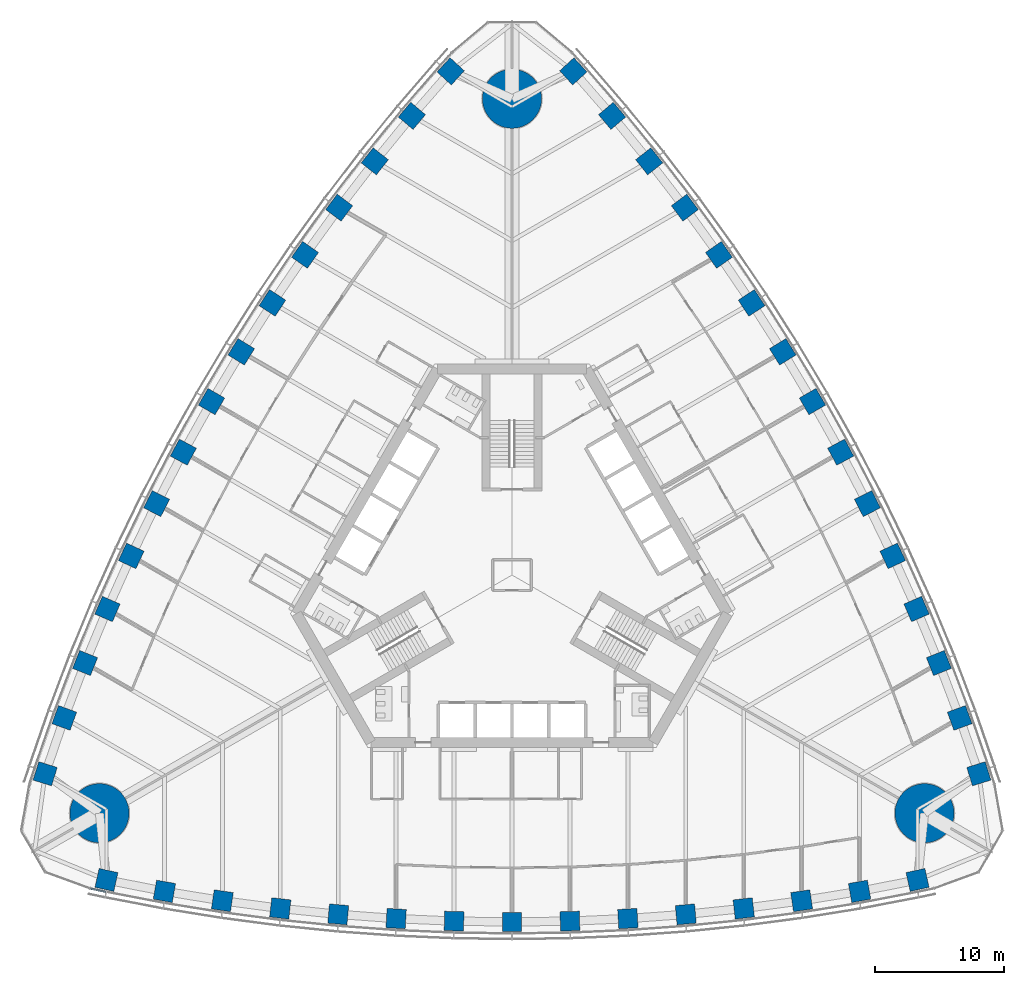
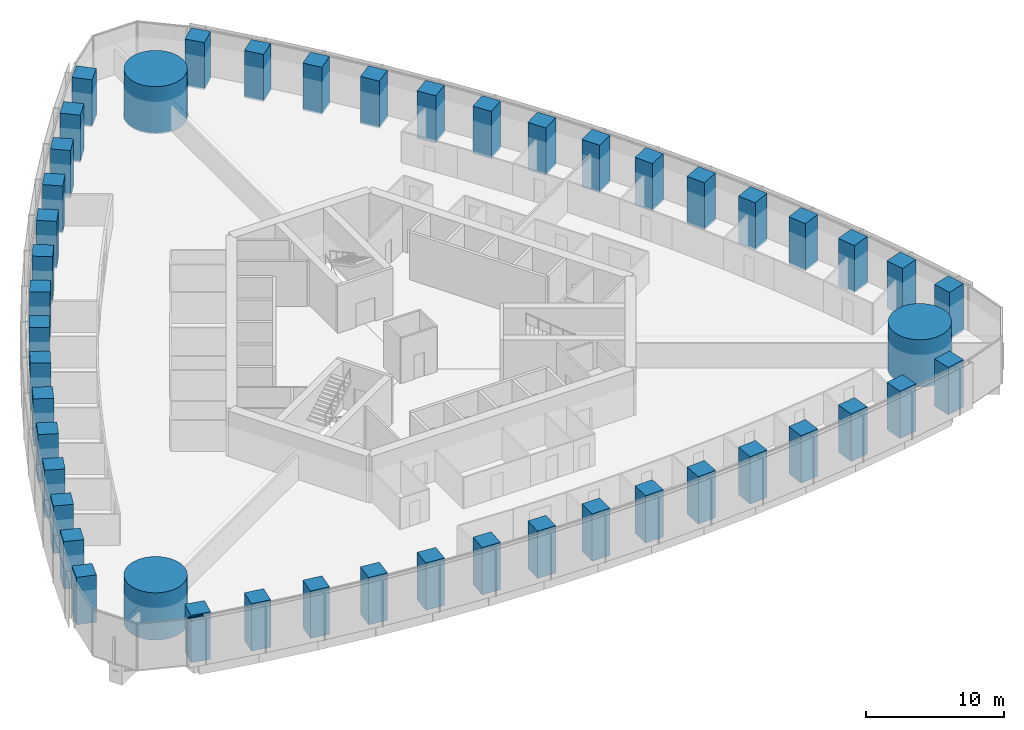
# One storey, part 1 of 19: 48 columns, 1 member, 1 element without a shape of its own.
"""IFC4 building model written with IfcOpenShell, lengths in metres."""

from ifc_helpers import new_model, si_unit, direction, frame, origin, origin_2d, place, context, subcontext, project, spatial, rectangle, circle, extrude, material, material_profile, profile_set, type_object, element, aggregate, save


model = new_model("IFC4")

# Units and contexts
model_context = context("Model", 3, precision=1e-05, world=origin(), true_north=direction((0.0, 1.0)))
body_context = subcontext(model_context, "Body", "Model", "MODEL_VIEW")
ifc_project = project(units=[si_unit("LENGTHUNIT", "METRE"), si_unit("AREAUNIT", "SQUARE_METRE"), si_unit("VOLUMEUNIT", "CUBIC_METRE"), si_unit("PLANEANGLEUNIT", "RADIAN"), si_unit("MASSUNIT", "GRAM", prefix="KILO")], contexts=[model_context])

# Site, building, storey
site_placement = place(None, origin())
site = spatial("IfcSite", under=ifc_project, at=site_placement, CompositionType="ELEMENT")
building_placement = place(site_placement, origin())
building = spatial("IfcBuilding", under=site, at=building_placement, Name="Trefoil Bronze Tower", CompositionType="ELEMENT")
storey_placement = place(building_placement, frame((0.0, 0.0, 20.699951171875)))
storey = spatial("IfcBuildingStorey", under=building, at=storey_placement, Name="L04", CompositionType="ELEMENT", Elevation=20.699951171875)

# Columns
ifc_material_1 = material(Name="Concrete B80", Category="concrete")
ifc_material_profile_1 = material_profile(ifc_material_1, circle(Radius=2.300048828125, at=origin_2d()), Name="RC D4600")
ifc_profile_set_1 = profile_set([ifc_material_profile_1], Name="Concrete B80")
column_type_1 = type_object("IfcColumnType", Name="Mega column RC D4600", PredefinedType="COLUMN", material=ifc_profile_set_1)
for number, where, z_axis, x_axis, name in (
    (1, (32.04296875, -18.5, 0.0), (0.0, 0.0, 1.0), (1.0, 0.0, 0.0), "Mega column K1 L04"),
    (2, (0.0, 37.0, 0.0), (0.0, 0.0, 1.0), (1.0, 0.0, 0.0), "Mega column K2 L04"),
    (3, (-32.04296875, -18.5, 0.0), (0.0, 0.0, 1.0), (1.0, 0.0, 0.0), "Mega column K3 L04"),
):
    element("IfcColumn", number, at=place(storey_placement, frame(where, z_axis=z_axis, x_axis=x_axis)), inside=storey, type_object=column_type_1, Name=name, PredefinedType="COLUMN", context=body_context, shape_type="SweptSolid", body=[
        extrude(circle(Radius=2.300048828125, at=origin_2d()), origin(), (0.0, 0.0, 1.0), 4.199951171875),
    ])
ifc_material_2 = material(Name="Concrete B80", Category="concrete")
ifc_material_profile_2 = material_profile(ifc_material_2, rectangle(XDim=1.5, YDim=1.5, at=origin_2d()), Name="RC 1500x1500")
ifc_profile_set_2 = profile_set([ifc_material_profile_2], Name="Concrete B80")
column_type_2 = type_object("IfcColumnType", Name="Tube column RC 1500x1500", PredefinedType="COLUMN", material=ifc_profile_set_2)
for number, where, z_axis, x_axis, name in (
    (4, (-31.5, -23.684814453125, 0.0), (0.0, 0.0, 1.0), (0.976229647342, -0.216738726697, 0.0), "Tube column F1/-7 L04"),
    (5, (-27.0, -24.56787109375, 0.0), (0.0, 0.0, 1.0), (0.984722470468, -0.174131146426, 0.0), "Tube column F1/-6 L04"),
    (6, (-22.5, -25.29931640625, 0.0), (0.0, 0.0, 1.0), (0.989415676546, -0.145108990094, 0.0), "Tube column F1/-5 L04"),
    (7, (-18.0, -25.895263671875, 0.0), (0.0, 0.0, 1.0), (0.993239048989, -0.116086999973, 0.0), "Tube column F1/-4 L04"),
    (8, (-13.5, -26.35693359375, 0.0), (0.0, 0.0, 1.0), (0.996202620701, -0.087065139456, 0.0), "Tube column F1/-3 L04"),
    (9, (-9.0, -26.68603515625, 0.0), (0.0, 0.0, 1.0), (0.998314062162, -0.058043374207, 0.0), "Tube column F1/-2 L04"),
    (10, (-4.5, -26.883056640625, 0.0), (0.0, 0.0, 1.0), (0.999578782577, -0.029021671584, 0.0), "Tube column F1/-1 L04"),
    (11, (0.0, -26.94873046875, 0.0), (0.0, 0.0, 1.0), (1.0, 0.0, 0.0), "Tube column F1/+0 L04"),
    (12, (4.5, -26.883056640625, 0.0), (0.0, 0.0, 1.0), (0.999578782577, 0.029021671584, 0.0), "Tube column F1/+1 L04"),
    (13, (9.0, -26.68603515625, 0.0), (0.0, 0.0, 1.0), (0.998314062162, 0.058043374207, 0.0), "Tube column F1/+2 L04"),
    (14, (13.5, -26.35693359375, 0.0), (0.0, 0.0, 1.0), (0.996202620701, 0.087065139456, 0.0), "Tube column F1/+3 L04"),
    (15, (18.0, -25.895263671875, 0.0), (0.0, 0.0, 1.0), (0.993239048989, 0.116086999973, 0.0), "Tube column F1/+4 L04"),
    (16, (22.5, -25.29931640625, 0.0), (0.0, 0.0, 1.0), (0.989415676546, 0.145108990094, 0.0), "Tube column F1/+5 L04"),
    (17, (27.0, -24.56787109375, 0.0), (0.0, 0.0, 1.0), (0.984722470468, 0.174131146426, 0.0), "Tube column F1/+6 L04"),
    (18, (31.5, -23.684814453125, 0.0), (0.0, 0.0, 1.0), (0.976229647342, 0.216738726697, 0.0), "Tube column F1/+7 L04"),
    (19, (36.26171875, -15.4375, 0.0), (0.0, 0.0, 1.0), (-0.300413580368, 0.953809037874, 0.0), "Tube column F2/-7 L04"),
    (20, (34.7763671875, -11.0986328125, 0.0), (0.0, 0.0, 1.0), (-0.341559238839, 0.939860248316, 0.0), "Tube column F2/-6 L04"),
    (21, (33.159912109375, -6.8359375, 0.0), (0.0, 0.0, 1.0), (-0.369039766534, 0.929413605838, 0.0), "Tube column F2/-5 L04"),
    (22, (31.42578125, -2.640869140625, 0.0), (0.0, 0.0, 1.0), (-0.396085233469, 0.918213748442, 0.0), "Tube column F2/-4 L04"),
    (23, (29.575927734375, 1.487060546875, 0.0), (0.0, 0.0, 1.0), (-0.422700687798, 0.906269346572, 0.0), "Tube column F2/-3 L04"),
    (24, (27.61083984375, 5.548828125, 0.0), (0.0, 0.0, 1.0), (-0.448889994497, 0.893587025891, 0.0), "Tube column F2/-2 L04"),
    (25, (25.531494140625, 9.54443359375, 0.0), (0.0, 0.0, 1.0), (-0.474655886437, 0.880171454588, 0.0), "Tube column F2/-1 L04"),
    (26, (23.33837890625, 13.474365234375, 0.0), (0.0, 0.0, 1.0), (-0.5, 0.866025403784, 0.0), "Tube column F2/+0 L04"),
    (27, (21.031494140625, 17.338623046875, 0.0), (0.0, 0.0, 1.0), (-0.524922896141, 0.851149783004, 0.0), "Tube column F2/+1 L04"),
    (28, (18.61083984375, 21.13720703125, 0.0), (0.0, 0.0, 1.0), (-0.549424067665, 0.835543651684, 0.0), "Tube column F2/+2 L04"),
    (29, (16.075927734375, 24.869873046875, 0.0), (0.0, 0.0, 1.0), (-0.573501932903, 0.819204207116, 0.0), "Tube column F2/+3 L04"),
    (30, (13.42578125, 28.5361328125, 0.0), (0.0, 0.0, 1.0), (-0.59715381552, 0.802126748469, 0.0), "Tube column F2/+4 L04"),
    (31, (10.659912109375, 32.13525390625, 0.0), (0.0, 0.0, 1.0), (-0.620375910011, 0.784304615744, 0.0), "Tube column F2/+5 L04"),
    (32, (7.7763671875, 35.666748046875, 0.0), (0.0, 0.0, 1.0), (-0.643163231629, 0.765729101889, 0.0), "Tube column F2/+6 L04"),
    (33, (4.76171875, 39.122314453125, 0.0), (0.0, 0.0, 1.0), (-0.675816066975, 0.737070311177, 0.0), "Tube column F2/+7 L04"),
    (34, (-4.76171875, 39.122314453125, 0.0), (0.0, 0.0, 1.0), (-0.675816066975, -0.737070311177, 0.0), "Tube column F3/-7 L04"),
    (35, (-7.7763671875, 35.666748046875, 0.0), (0.0, 0.0, 1.0), (-0.643163231629, -0.765729101889, 0.0), "Tube column F3/-6 L04"),
    (36, (-10.659912109375, 32.13525390625, 0.0), (0.0, 0.0, 1.0), (-0.620375910011, -0.784304615744, 0.0), "Tube column F3/-5 L04"),
    (37, (-13.42578125, 28.5361328125, 0.0), (0.0, 0.0, 1.0), (-0.59715381552, -0.802126748469, 0.0), "Tube column F3/-4 L04"),
    (38, (-16.075927734375, 24.869873046875, 0.0), (0.0, 0.0, 1.0), (-0.573501932903, -0.819204207116, 0.0), "Tube column F3/-3 L04"),
    (39, (-18.61083984375, 21.13720703125, 0.0), (0.0, 0.0, 1.0), (-0.549424067665, -0.835543651684, 0.0), "Tube column F3/-2 L04"),
    (40, (-21.031494140625, 17.338623046875, 0.0), (0.0, 0.0, 1.0), (-0.524922896141, -0.851149783004, 0.0), "Tube column F3/-1 L04"),
    (41, (-23.33837890625, 13.474365234375, 0.0), (0.0, 0.0, 1.0), (-0.5, -0.866025403784, 0.0), "Tube column F3/+0 L04"),
    (42, (-25.531494140625, 9.54443359375, 0.0), (0.0, 0.0, 1.0), (-0.474655886437, -0.880171454588, 0.0), "Tube column F3/+1 L04"),
    (43, (-27.61083984375, 5.548828125, 0.0), (0.0, 0.0, 1.0), (-0.448889994497, -0.893587025891, 0.0), "Tube column F3/+2 L04"),
    (44, (-29.575927734375, 1.487060546875, 0.0), (0.0, 0.0, 1.0), (-0.422700687798, -0.906269346572, 0.0), "Tube column F3/+3 L04"),
    (45, (-31.42578125, -2.640869140625, 0.0), (0.0, 0.0, 1.0), (-0.396085233469, -0.918213748442, 0.0), "Tube column F3/+4 L04"),
    (46, (-33.159912109375, -6.8359375, 0.0), (0.0, 0.0, 1.0), (-0.369039766534, -0.929413605838, 0.0), "Tube column F3/+5 L04"),
    (47, (-34.7763671875, -11.0986328125, 0.0), (0.0, 0.0, 1.0), (-0.341559238839, -0.939860248316, 0.0), "Tube column F3/+6 L04"),
    (48, (-36.26171875, -15.4375, 0.0), (0.0, 0.0, 1.0), (-0.300413580368, -0.953809037874, 0.0), "Tube column F3/+7 L04"),
):
    element("IfcColumn", number, at=place(storey_placement, frame(where, z_axis=z_axis, x_axis=x_axis)), inside=storey, type_object=column_type_2, Name=name, PredefinedType="COLUMN", context=body_context, shape_type="SweptSolid", body=[
        extrude(rectangle(XDim=1.5, YDim=1.5, at=origin_2d()), origin(), (0.0, 0.0, 1.0), 4.199951171875),
    ])

# Curtain wall, member
ifc_material_3 = material(Name="Tinted solar-control glass", Category="glass")
curtain_wall_type = type_object("IfcCurtainWallType", Name="Bronze office curtain wall", PredefinedType="USERDEFINED", material=ifc_material_3)
curtain_wall_placement = place(storey_placement, origin())
curtain_wall = element("IfcCurtainWall", 49, at=curtain_wall_placement, inside=storey, type_object=curtain_wall_type, Name="CW-A L04 F1", ObjectType="CURTAIN WALL", PredefinedType="USERDEFINED")
ifc_material_4 = material(Name="Bronze-finish aluminium", Category="aluminium")
ifc_material_profile_3 = material_profile(ifc_material_4, rectangle(XDim=0.1201171875, YDim=0.10009765625, at=origin_2d()), Name="CW-A transom")
ifc_profile_set_3 = profile_set([ifc_material_profile_3], Name="Bronze-finish aluminium")
member_type = type_object("IfcMemberType", Name="Bronze office curtain wall transom", PredefinedType="USERDEFINED", material=ifc_profile_set_3)
member_placement = place(storey_placement, frame((-32.743896484375, -24.354736328125, 4.130126953125), z_axis=(0.978266371807, -0.207352129942, 0.0), x_axis=(0.207352129942, 0.978266371807, 0.0)))
member = element("IfcMember", 50, at=member_placement, type_object=member_type, Name="CW-A L04 F1 transom 1", ObjectType="TRANSOM", PredefinedType="USERDEFINED", context=body_context, shape_type="SweptSolid", body=[
    extrude(rectangle(XDim=0.1201171875, YDim=0.10009765625, at=origin_2d()), origin(), (0.0, 0.0, 1.0), 1.21044921875),
])
aggregate(curtain_wall, [member])

save(model, "model.ifc")
